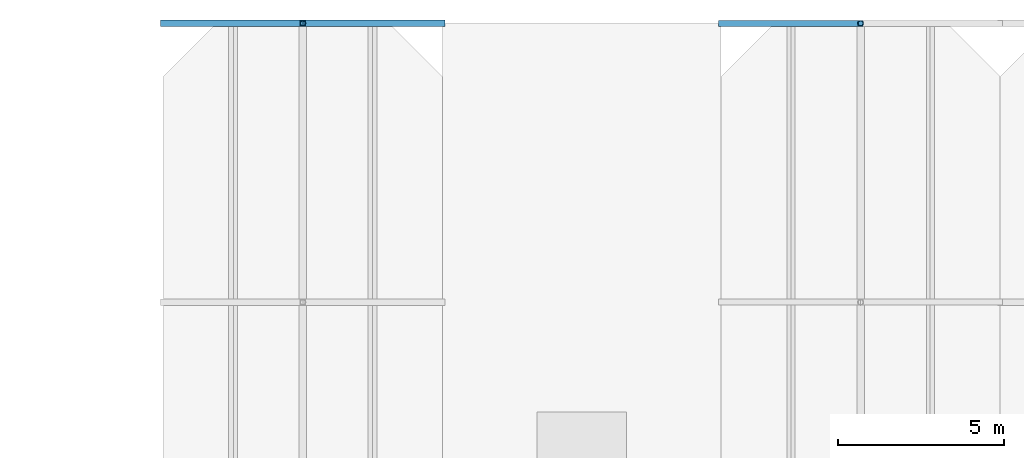
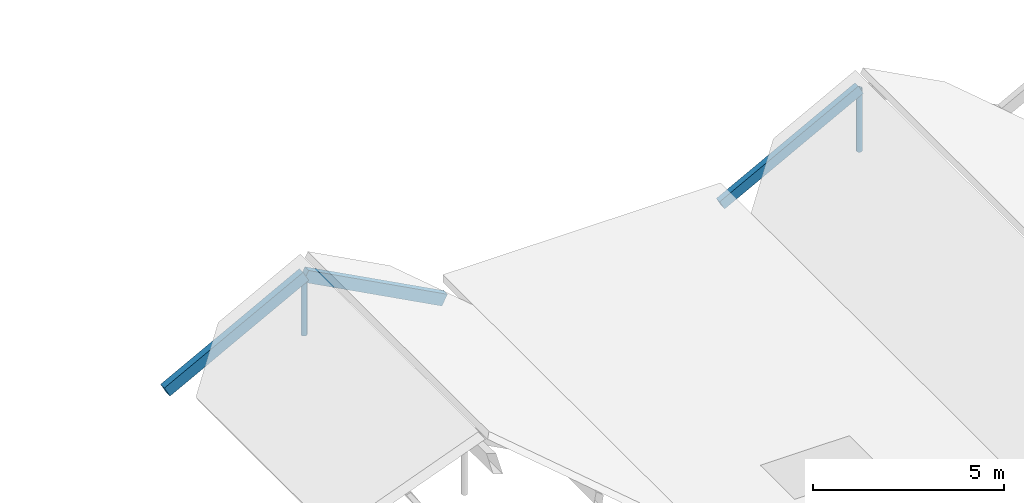
# One storey, part 51 of 82: 5 members.
"""IFC4 building model written with IfcOpenShell, lengths in metres."""

from ifc_helpers import new_model, si_unit, direction, frame, origin, origin_2d, place, context, subcontext, project, spatial, rectangle, hollow_circle, extrude, material, material_profile, profile_set, type_object, element, save


model = new_model("IFC4")

# Units and contexts
model_context = context("Model", 3, precision=1e-05, world=origin(), true_north=direction((0.0, 1.0)))
body_context = subcontext(model_context, "Body", "Model", "MODEL_VIEW")
ifc_project = project(units=[si_unit("LENGTHUNIT", "METRE"), si_unit("AREAUNIT", "SQUARE_METRE"), si_unit("VOLUMEUNIT", "CUBIC_METRE"), si_unit("PLANEANGLEUNIT", "RADIAN"), si_unit("MASSUNIT", "GRAM", prefix="KILO")], contexts=[model_context])

# Site, building, storey
site_placement = place(None, origin())
site = spatial("IfcSite", under=ifc_project, at=site_placement, CompositionType="ELEMENT")
building_placement = place(site_placement, origin())
building = spatial("IfcBuilding", under=site, at=building_placement, Name="Bramfleet General Hospital", CompositionType="ELEMENT")
storey_placement = place(building_placement, frame((0.0, 0.0, 34.199951171875)))
storey = spatial("IfcBuildingStorey", under=building, at=storey_placement, Name="Roof", CompositionType="ELEMENT", Elevation=34.199951171875)

# Members
ifc_material_1 = material(Name="Structural timber GL28h", Category="wood")
ifc_material_profile_1 = material_profile(ifc_material_1, rectangle(XDim=0.179931640625, YDim=0.320068359375, at=origin_2d()), Name="GL28h 320x180")
ifc_profile_set_1 = profile_set([ifc_material_profile_1], Name="Structural timber GL28h")
member_type_1 = type_object("IfcMemberType", Name="MEM-RF-GL320", PredefinedType="RAFTER", material=ifc_profile_set_1)
member_1_placement = place(storey_placement, frame((84.0, 117.60009765625, -0.671875), z_axis=(0.882947536541, 0.0, 0.469471668705), x_axis=(0.0, 1.0, 0.0)))
element("IfcMember", 1, at=member_1_placement, inside=storey, type_object=member_type_1, Name="Patient House PH-02 West Glulam Rafter 3", PredefinedType="RAFTER", context=body_context, shape_type="SweptSolid", body=[
    extrude(rectangle(XDim=0.179931640625, YDim=0.320068359375, at=origin_2d()), origin(), (0.0, 0.0, 1.0), 4.7568359375),
])
ifc_material_profile_2 = material_profile(ifc_material_1, rectangle(XDim=0.199951171875, YDim=0.360107421875, at=origin_2d()), Name="GL28h 360x200")
ifc_profile_set_2 = profile_set([ifc_material_profile_2], Name="Structural timber GL28h")
member_type_2 = type_object("IfcMemberType", Name="MEM-RF-GL360", PredefinedType="RAFTER", material=ifc_profile_set_2)
for number, where, z_axis, x_axis, name in (
    (2, (67.199951171875, 117.60009765625, -0.75634765625), (0.882947536541, 0.0, 0.469471668705), (0.0, 1.0, 0.0), "Patient House PH-01 West Glulam Rafter 3"),
    (3, (71.39990234375, 117.60009765625, 1.476806640625), (0.882958848035, 0.0, -0.469450394267), (0.0, 1.0, 0.0), "Patient House PH-01 East Glulam Rafter 3"),
):
    element("IfcMember", number, at=place(storey_placement, frame(where, z_axis=z_axis, x_axis=x_axis)), inside=storey, type_object=member_type_2, Name=name, PredefinedType="RAFTER", context=body_context, shape_type="SweptSolid", body=[
        extrude(rectangle(XDim=0.199951171875, YDim=0.360107421875, at=origin_2d()), origin(), (0.0, 0.0, 1.0), 4.7568359375),
    ])
ifc_material_2 = material(Name="Steel S355", Category="steel")
ifc_material_profile_3 = material_profile(ifc_material_2, hollow_circle(Radius=0.084228515625, WallThickness=0.008056640625, at=origin_2d()), Name="CHS 168.3x8.0")
ifc_profile_set_3 = profile_set([ifc_material_profile_3], Name="Steel S355")
member_type_3 = type_object("IfcMemberType", Name="MEM-SF-DG1", PredefinedType="STRUT", material=ifc_profile_set_3)
member_2_placement = place(storey_placement, frame((71.39990234375, 117.60009765625, -0.43994140625), z_axis=(0.0, 0.0, 1.0), x_axis=(1.0, 0.0, 0.0)))
element("IfcMember", 4, at=member_2_placement, inside=storey, type_object=member_type_3, Name="Patient House PH-01 Ridge Timber Post 3", PredefinedType="STRUT", context=body_context, shape_type="SweptSolid", body=[
    extrude(hollow_circle(Radius=0.084228515625, WallThickness=0.008056640625, at=origin_2d()), origin(), (0.0, 0.0, 1.0), 1.916748046875),
])
member_3_placement = place(storey_placement, frame((88.199951171875, 117.60009765625, -0.43994140625), z_axis=(0.0, 0.0, 1.0), x_axis=(1.0, 0.0, 0.0)))
element("IfcMember", 5, at=member_3_placement, inside=storey, type_object=member_type_3, Name="Patient House PH-02 Ridge Timber Post 3", PredefinedType="STRUT", context=body_context, shape_type="SweptSolid", body=[
    extrude(hollow_circle(Radius=0.084228515625, WallThickness=0.008056640625, at=origin_2d()), origin(), (0.0, 0.0, 1.0), 2.001220703125),
])

save(model, "model.ifc")
